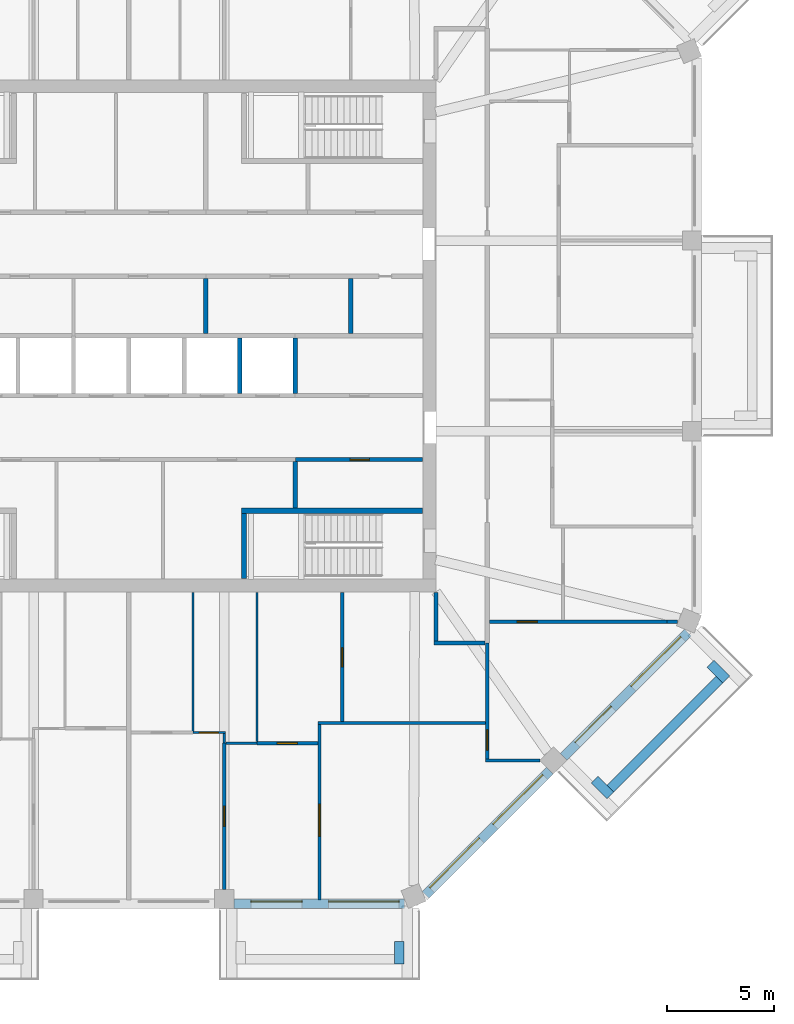
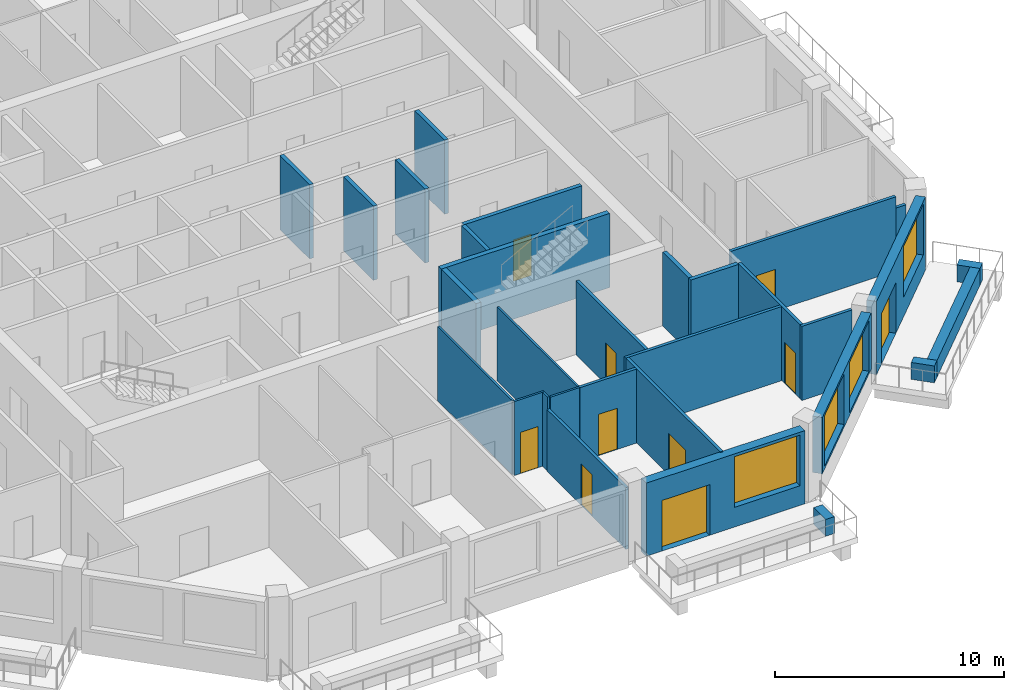
# One storey, part 5 of 12: 31 walls, 10 doors, 4 windows, 14 openings.
"""IFC4 building model written with IfcOpenShell, lengths in metres."""

from ifc_helpers import new_model, si_unit, direction, frame, frame_2d, origin, place, context, subcontext, project, spatial, rectangle, extrude, material, layer, layer_set, type_object, element, fill, save


model = new_model("IFC4")

# Units and contexts
model_context = context("Model", 3, precision=1e-05, world=origin(), true_north=direction((0.0, 1.0)))
body_context = subcontext(model_context, "Body", "Model", "MODEL_VIEW")
ifc_project = project(units=[si_unit("LENGTHUNIT", "METRE"), si_unit("AREAUNIT", "SQUARE_METRE"), si_unit("VOLUMEUNIT", "CUBIC_METRE"), si_unit("PLANEANGLEUNIT", "RADIAN"), si_unit("MASSUNIT", "GRAM", prefix="KILO")], contexts=[model_context])

# Site, building, storey
site_placement = place(None, origin())
site = spatial("IfcSite", under=ifc_project, at=site_placement, CompositionType="ELEMENT")
building_placement = place(site_placement, origin())
building = spatial("IfcBuilding", under=site, at=building_placement, Name="Msitu Wima Residences", CompositionType="ELEMENT")
storey_placement = place(building_placement, frame((0.0, 0.0, 247.5)))
storey = spatial("IfcBuildingStorey", under=building, at=storey_placement, Name="L57", CompositionType="ELEMENT", Elevation=247.5)

# Walls
ifc_material_1 = material(Name="Facing brick")
ifc_layer_1 = layer(ifc_material_1, 0.06494140625, Name="Facing brick")
ifc_material_2 = material(Name="Concrete C40/50", Category="concrete")
ifc_layer_2 = layer(ifc_material_2, 0.156005859375, Name="Concrete C40/50")
ifc_material_3 = material(Name="Waterproofing membrane")
ifc_layer_3 = layer(ifc_material_3, 0.00390625, Name="Waterproofing membrane")
ifc_material_4 = material(Name="Planting soil and planting")
ifc_layer_4 = layer(ifc_material_4, 0.22509765625, Name="Planting soil and planting")
ifc_layer_set_1 = layer_set([ifc_layer_1, ifc_layer_2, ifc_layer_3, ifc_layer_4], Name="Concrete C40/50")
wall_type_1 = type_object("IfcWallType", Name="Balcony planter PLANTER PL450", PredefinedType="USERDEFINED", material=ifc_layer_set_1)
wall_1_placement = place(storey_placement, frame((12.680908203125, -28.39990234375, 0.0), z_axis=(0.0, 0.0, 1.0), x_axis=(0.0, -1.0, 0.0)))
element("IfcWall", 1, at=wall_1_placement, inside=storey, type_object=wall_type_1, Name="Balcony planter S2 L57", ObjectType="PLANTER", PredefinedType="USERDEFINED", context=body_context, shape_type="SweptSolid", body=[
    extrude(rectangle(XDim=1.050048828125, YDim=0.449951171875, at=frame_2d((0.52490234375, 0.0))), origin(), (0.0, 0.0, 1.0), 0.89990234375),
])
wall_2_placement = place(storey_placement, frame((22.572265625, -21.228759765625, 0.0), z_axis=(0.0, 0.0, 1.0), x_axis=(0.707106781187, 0.707106781187, 0.0)))
element("IfcWall", 2, at=wall_2_placement, inside=storey, type_object=wall_type_1, Name="Balcony planter SE1 L57", ObjectType="PLANTER", PredefinedType="USERDEFINED", context=body_context, shape_type="SweptSolid", body=[
    extrude(rectangle(XDim=7.23828125, YDim=0.449951171875, at=frame_2d((3.619140625, 0.0))), origin(), (0.0, 0.0, 1.0), 0.89990234375),
])
for number, where, z_axis, x_axis, name in (
    (3, (21.829833984375, -20.804443359375, 0.0), (0.0, 0.0, 1.0), (0.707106781187, -0.707106781187, 0.0), "Balcony planter SE1 L57"),
    (4, (27.26611328125, -15.3681640625, 0.0), (0.0, 0.0, 1.0), (0.707223014731, -0.706990528533, 0.0), "Balcony planter SE1 L57"),
):
    element("IfcWall", number, at=place(storey_placement, frame(where, z_axis=z_axis, x_axis=x_axis)), inside=storey, type_object=wall_type_1, Name=name, ObjectType="PLANTER", PredefinedType="USERDEFINED", context=body_context, shape_type="SweptSolid", body=[
        extrude(rectangle(XDim=1.050048828125, YDim=0.449951171875, at=frame_2d((0.52490234375, 0.0))), origin(), (0.0, 0.0, 1.0), 0.89990234375),
    ])

# Wall, openings, door, window
ifc_material_5 = material(Name="Brick (red buff mix)", Category="masonry")
ifc_layer_5 = layer(ifc_material_5, 0.449951171875)
ifc_layer_set_2 = layer_set([ifc_layer_5], Name="Brick (red buff mix)")
wall_type_2 = type_object("IfcWallType", Name="Brick infill wall BW450", PredefinedType="SOLIDWALL", material=ifc_layer_set_2)
wall_3_placement = place(storey_placement, frame((4.918701171875, -26.625, 0.0), z_axis=(0.0, 0.0, 1.0), x_axis=(1.0, 0.0, 0.0)))
wall_3 = element("IfcWall", 5, at=wall_3_placement, inside=storey, type_object=wall_type_2, Name="Brick infill wall L57 S2", PredefinedType="SOLIDWALL", context=body_context, shape_type="SweptSolid", body=[
    extrude(rectangle(XDim=8.0, YDim=0.449951171875, at=frame_2d((4.0, 0.0))), origin(), (0.0, 0.0, 1.0), 3.89990234375),
])
opening_1_placement = place(wall_3_placement, frame((0.800048828125, 0.0, 0.0)))
opening_1 = element("IfcOpeningElement", 6, at=opening_1_placement, cuts=wall_3, Name="Opening D57-59.007", PredefinedType="OPENING", context=body_context, shape_type="SweptSolid", body=[
    extrude(rectangle(XDim=2.39990234375, YDim=2.699951171875, at=frame_2d((1.199951171875, 1.35009765625))), frame((0.0, 0.23486328125, 0.0), z_axis=(0.0, -1.0, 0.0), x_axis=(1.0, 0.0, 0.0)), (0.0, 0.0, 1.0), 0.469970703125),
])
opening_2_placement = place(wall_3_placement, frame((4.4501953125, 0.0, 1.050048828125)))
opening_2 = element("IfcOpeningElement", 7, at=opening_2_placement, cuts=wall_3, Name="Opening W57-59.019", PredefinedType="OPENING", context=body_context, shape_type="SweptSolid", body=[
    extrude(rectangle(XDim=3.300048828125, YDim=2.699951171875, at=frame_2d((1.64990234375, 1.35009765625))), frame((0.0, 0.23486328125, 0.0), z_axis=(0.0, -1.0, 0.0), x_axis=(1.0, 0.0, 0.0)), (0.0, 0.0, 1.0), 0.469970703125),
])
ifc_material_6 = material(Name="Anodised aluminium, bronze finish, clear low-emissivity double glazing", Category="aluminium")
door_type_1 = type_object("IfcDoorType", Name="Balcony door D2400x2700", OperationType="SLIDING_TO_LEFT", PredefinedType="DOOR", material=ifc_material_6)
door_1_placement = place(opening_1_placement, origin())
door_1 = element("IfcDoor", 8, at=door_1_placement, inside=storey, type_object=door_type_1, Name="Balcony door L57 S2", OperationType="SINGLE_SWING_LEFT", OverallHeight=2.699951171875, OverallWidth=2.39990234375, PredefinedType="DOOR", context=body_context, shape_type="SweptSolid", body=[
    extrude(rectangle(XDim=2.39990234375, YDim=2.699951171875, at=frame_2d((1.199951171875, 1.35009765625))), frame((0.0, 0.1298828125, 0.0), z_axis=(0.0, -1.0, 0.0), x_axis=(1.0, 0.0, 0.0)), (0.0, 0.0, 1.0), 0.050048828125),
])
fill(opening_1, door_1)
window_type = type_object("IfcWindowType", Name="Window W3300x2700", PartitioningType="DOUBLE_PANEL_VERTICAL", PredefinedType="WINDOW", material=ifc_material_6)
window_1_placement = place(opening_2_placement, origin())
window_1 = element("IfcWindow", 9, at=window_1_placement, inside=storey, type_object=window_type, Name="Window L57 S2.2", OverallHeight=2.699951171875, OverallWidth=3.300048828125, PartitioningType="SINGLE_PANEL", PredefinedType="WINDOW", context=body_context, shape_type="SweptSolid", body=[
    extrude(rectangle(XDim=3.300048828125, YDim=2.699951171875, at=frame_2d((1.64990234375, 1.35009765625))), frame((0.0, 0.135009765625, 0.0), z_axis=(0.0, -1.0, 0.0), x_axis=(1.0, 0.0, 0.0)), (0.0, 0.0, 1.0), 0.06005859375),
])
fill(opening_2, window_1)

# Wall, openings, windows
wall_4_placement = place(storey_placement, frame((13.909423828125, -26.214599609375, 0.89990234375), z_axis=(0.0, 0.0, 1.0), x_axis=(0.707106781187, 0.707106781187, 0.0)))
wall_4 = element("IfcWall", 10, at=wall_4_placement, inside=storey, type_object=wall_type_2, Name="Brick infill wall L57 SE0", PredefinedType="SOLIDWALL", context=body_context, shape_type="SweptSolid", body=[
    extrude(rectangle(XDim=8.251220703125, YDim=0.449951171875, at=frame_2d((4.12548828125, 0.0))), origin(), (0.0, 0.0, 1.0), 3.0),
])
opening_3_placement = place(wall_4_placement, frame((0.37548828125, 0.0, 0.14990234375)))
opening_3 = element("IfcOpeningElement", 11, at=opening_3_placement, cuts=wall_4, Name="Opening W57-59.020", PredefinedType="OPENING", context=body_context, shape_type="SweptSolid", body=[
    extrude(rectangle(XDim=3.300048828125, YDim=2.699951171875, at=frame_2d((1.64990234375, 1.35009765625))), frame((0.0, 0.23486328125, 0.0), z_axis=(0.0, -1.0, 0.0), x_axis=(1.0, 0.0, 0.0)), (0.0, 0.0, 1.0), 0.469970703125),
])
opening_4_placement = place(wall_4_placement, frame((4.57568359375, 0.0, 0.14990234375)))
opening_4 = element("IfcOpeningElement", 12, at=opening_4_placement, cuts=wall_4, Name="Opening W57-59.021", PredefinedType="OPENING", context=body_context, shape_type="SweptSolid", body=[
    extrude(rectangle(XDim=3.300048828125, YDim=2.699951171875, at=frame_2d((1.64990234375, 1.35009765625))), frame((0.0, 0.23486328125, 0.0), z_axis=(0.0, -1.0, 0.0), x_axis=(1.0, 0.0, 0.0)), (0.0, 0.0, 1.0), 0.469970703125),
])
window_2_placement = place(opening_3_placement, origin())
window_2 = element("IfcWindow", 13, at=window_2_placement, inside=storey, type_object=window_type, Name="Window L57 SE0.1", OverallHeight=2.699951171875, OverallWidth=3.300048828125, PartitioningType="SINGLE_PANEL", PredefinedType="WINDOW", context=body_context, shape_type="SweptSolid", body=[
    extrude(rectangle(XDim=3.300048828125, YDim=2.699951171875, at=frame_2d((1.64990234375, 1.35009765625))), frame((0.0, 0.135009765625, 0.0), z_axis=(0.0, -1.0, 0.0), x_axis=(1.0, 0.0, 0.0)), (0.0, 0.0, 1.0), 0.06005859375),
])
fill(opening_3, window_2)
window_3_placement = place(opening_4_placement, origin())
window_3 = element("IfcWindow", 14, at=window_3_placement, inside=storey, type_object=window_type, Name="Window L57 SE0.2", OverallHeight=2.699951171875, OverallWidth=3.300048828125, PartitioningType="SINGLE_PANEL", PredefinedType="WINDOW", context=body_context, shape_type="SweptSolid", body=[
    extrude(rectangle(XDim=3.300048828125, YDim=2.699951171875, at=frame_2d((1.64990234375, 1.35009765625))), frame((0.0, 0.135009765625, 0.0), z_axis=(0.0, -1.0, 0.0), x_axis=(1.0, 0.0, 0.0)), (0.0, 0.0, 1.0), 0.06005859375),
])
fill(opening_4, window_3)

# Wall, openings, door, window
wall_5_placement = place(storey_placement, frame((20.380126953125, -19.743896484375, 0.0), z_axis=(0.0, 0.0, 1.0), x_axis=(0.707106781187, 0.707106781187, 0.0)))
wall_5 = element("IfcWall", 15, at=wall_5_placement, inside=storey, type_object=wall_type_2, Name="Brick infill wall L57 SE1", PredefinedType="SOLIDWALL", context=body_context, shape_type="SweptSolid", body=[
    extrude(rectangle(XDim=8.251220703125, YDim=0.449951171875, at=frame_2d((4.12548828125, 0.0))), origin(), (0.0, 0.0, 1.0), 3.89990234375),
])
opening_5_placement = place(wall_5_placement, frame((0.86279296875, 0.0, 0.0)))
opening_5 = element("IfcOpeningElement", 16, at=opening_5_placement, cuts=wall_5, Name="Opening D57-59.008", PredefinedType="OPENING", context=body_context, shape_type="SweptSolid", body=[
    extrude(rectangle(XDim=2.39990234375, YDim=2.699951171875, at=frame_2d((1.199951171875, 1.35009765625))), frame((0.0, 0.23486328125, 0.0), z_axis=(0.0, -1.0, 0.0), x_axis=(1.0, 0.0, 0.0)), (0.0, 0.0, 1.0), 0.469970703125),
])
opening_6_placement = place(wall_5_placement, frame((4.57568359375, 0.0, 1.050048828125)))
opening_6 = element("IfcOpeningElement", 17, at=opening_6_placement, cuts=wall_5, Name="Opening W57-59.022", PredefinedType="OPENING", context=body_context, shape_type="SweptSolid", body=[
    extrude(rectangle(XDim=3.300048828125, YDim=2.699951171875, at=frame_2d((1.64990234375, 1.35009765625))), frame((0.0, 0.23486328125, 0.0), z_axis=(0.0, -1.0, 0.0), x_axis=(1.0, 0.0, 0.0)), (0.0, 0.0, 1.0), 0.469970703125),
])
door_2_placement = place(opening_5_placement, origin())
door_2 = element("IfcDoor", 18, at=door_2_placement, inside=storey, type_object=door_type_1, Name="Balcony door L57 SE1", OperationType="SINGLE_SWING_LEFT", OverallHeight=2.699951171875, OverallWidth=2.39990234375, PredefinedType="DOOR", context=body_context, shape_type="SweptSolid", body=[
    extrude(rectangle(XDim=2.39990234375, YDim=2.699951171875, at=frame_2d((1.199951171875, 1.35009765625))), frame((0.0, 0.1298828125, 0.0), z_axis=(0.0, -1.0, 0.0), x_axis=(1.0, 0.0, 0.0)), (0.0, 0.0, 1.0), 0.050048828125),
])
fill(opening_5, door_2)
window_4_placement = place(opening_6_placement, origin())
window_4 = element("IfcWindow", 19, at=window_4_placement, inside=storey, type_object=window_type, Name="Window L57 SE1.2", OverallHeight=2.699951171875, OverallWidth=3.300048828125, PartitioningType="SINGLE_PANEL", PredefinedType="WINDOW", context=body_context, shape_type="SweptSolid", body=[
    extrude(rectangle(XDim=3.300048828125, YDim=2.699951171875, at=frame_2d((1.64990234375, 1.35009765625))), frame((0.0, 0.135009765625, 0.0), z_axis=(0.0, -1.0, 0.0), x_axis=(1.0, 0.0, 0.0)), (0.0, 0.0, 1.0), 0.06005859375),
])
fill(opening_6, window_4)

# Walls
ifc_material_7 = material(Name="Plaster")
ifc_layer_6 = layer(ifc_material_7, 0.011962890625, Name="Plaster")
ifc_material_8 = material(Name="Concrete blockwork", Category="masonry")
ifc_layer_7 = layer(ifc_material_8, 0.176025390625, Name="Concrete blockwork")
ifc_layer_8 = layer(ifc_material_7, 0.011962890625, Name="Plaster")
ifc_layer_set_3 = layer_set([ifc_layer_6, ifc_layer_7, ifc_layer_8], Name="Concrete blockwork")
wall_type_3 = type_object("IfcWallType", Name="Corridor wall FW200", PredefinedType="PARTITIONING", material=ifc_layer_set_3)
wall_6_placement = place(storey_placement, frame((14.39990234375, -14.300048828125, 0.0), z_axis=(0.0, 0.0, 1.0), x_axis=(0.0, 1.0, 0.0)))
element("IfcWall", 20, at=wall_6_placement, inside=storey, type_object=wall_type_3, Name="Corridor wall", PredefinedType="PARTITIONING", context=body_context, shape_type="SweptSolid", body=[
    extrude(rectangle(XDim=2.27001953125, YDim=0.199951171875, at=frame_2d((1.135009765625, 0.0))), origin(), (0.0, 0.0, 1.0), 3.949951171875),
])
wall_7_placement = place(storey_placement, frame((14.300048828125, -14.39990234375, 0.0), z_axis=(0.0, 0.0, 1.0), x_axis=(1.0, 0.0, 0.0)))
element("IfcWall", 21, at=wall_7_placement, inside=storey, type_object=wall_type_3, Name="Corridor wall", PredefinedType="PARTITIONING", context=body_context, shape_type="SweptSolid", body=[
    extrude(rectangle(XDim=2.39990234375, YDim=0.199951171875, at=frame_2d((1.199951171875, 0.0))), origin(), (0.0, 0.0, 1.0), 3.949951171875),
])

# Wall, opening, door
ifc_layer_9 = layer(ifc_material_7, 0.011962890625, Name="Plaster")
ifc_layer_10 = layer(ifc_material_8, 0.1259765625, Name="Concrete blockwork")
ifc_layer_11 = layer(ifc_material_7, 0.011962890625, Name="Plaster")
ifc_layer_set_4 = layer_set([ifc_layer_9, ifc_layer_10, ifc_layer_11], Name="Concrete blockwork")
wall_type_4 = type_object("IfcWallType", Name="Partition PW150", PredefinedType="PARTITIONING", material=ifc_layer_set_4)
wall_8_placement = place(storey_placement, frame((4.46875, -25.949951171875, 0.0), z_axis=(0.0, 0.0, 1.0), x_axis=(0.0, 1.0, 0.0)))
wall_8 = element("IfcWall", 22, at=wall_8_placement, inside=storey, type_object=wall_type_4, Name="Partition", PredefinedType="PARTITIONING", context=body_context, shape_type="SweptSolid", body=[
    extrude(rectangle(XDim=6.869873046875, YDim=0.14990234375, at=frame_2d((3.43505859375, 0.0))), origin(), (0.0, 0.0, 1.0), 3.300048828125),
])
opening_7_placement = place(wall_8_placement, frame((2.949951171875, 0.0, 0.0)))
opening_7 = element("IfcOpeningElement", 23, at=opening_7_placement, cuts=wall_8, Name="Opening D57-59.052", PredefinedType="OPENING", context=body_context, shape_type="SweptSolid", body=[
    extrude(rectangle(XDim=0.949951171875, YDim=2.199951171875, at=frame_2d((0.47509765625, 1.10009765625))), frame((0.0, 0.0849609375, 0.0), z_axis=(0.0, -1.0, 0.0), x_axis=(1.0, 0.0, 0.0)), (0.0, 0.0, 1.0), 0.169921875),
])
ifc_material_9 = material(Name="Timber flush door", Category="wood")
door_type_2 = type_object("IfcDoorType", Name="Room door D12 950x2200", OperationType="SINGLE_SWING_LEFT", PredefinedType="DOOR", material=ifc_material_9)
door_3_placement = place(opening_7_placement, origin())
door_3 = element("IfcDoor", 24, at=door_3_placement, inside=storey, type_object=door_type_2, Name="Room door", OperationType="SINGLE_SWING_LEFT", OverallHeight=2.199951171875, OverallWidth=0.949951171875, PredefinedType="DOOR", context=body_context, shape_type="SweptSolid", body=[
    extrude(rectangle(XDim=0.949951171875, YDim=2.199951171875, at=frame_2d((0.47509765625, 1.10009765625))), frame((0.0, 0.02490234375, 0.0), z_axis=(0.0, -1.0, 0.0), x_axis=(1.0, 0.0, 0.0)), (0.0, 0.0, 1.0), 0.050048828125),
])
fill(opening_7, door_3)

wall_9_placement = place(storey_placement, frame((6.0, -19.10009765625, 0.0), z_axis=(0.0, 0.0, 1.0), x_axis=(1.0, 0.0, 0.0)))
wall_9 = element("IfcWall", 25, at=wall_9_placement, inside=storey, type_object=wall_type_4, Name="Partition", PredefinedType="PARTITIONING", context=body_context, shape_type="SweptSolid", body=[
    extrude(rectangle(XDim=2.8623046875, YDim=0.14990234375, at=frame_2d((1.43115234375, 0.0))), origin(), (0.0, 0.0, 1.0), 3.949951171875),
])
opening_8_placement = place(wall_9_placement, frame((0.949951171875, 0.0, 0.0)))
opening_8 = element("IfcOpeningElement", 26, at=opening_8_placement, cuts=wall_9, Name="Opening D57-59.061", PredefinedType="OPENING", context=body_context, shape_type="SweptSolid", body=[
    extrude(rectangle(XDim=0.949951171875, YDim=2.199951171875, at=frame_2d((0.47509765625, 1.10009765625))), frame((0.0, 0.0849609375, 0.0), z_axis=(0.0, -1.0, 0.0), x_axis=(1.0, 0.0, 0.0)), (0.0, 0.0, 1.0), 0.169921875),
])
door_4_placement = place(opening_8_placement, origin())
door_4 = element("IfcDoor", 27, at=door_4_placement, inside=storey, type_object=door_type_2, Name="Room door", OperationType="SINGLE_SWING_LEFT", OverallHeight=2.199951171875, OverallWidth=0.949951171875, PredefinedType="DOOR", context=body_context, shape_type="SweptSolid", body=[
    extrude(rectangle(XDim=0.949951171875, YDim=2.199951171875, at=frame_2d((0.47509765625, 1.10009765625))), frame((0.0, 0.02490234375, 0.0), z_axis=(0.0, -1.0, 0.0), x_axis=(1.0, 0.0, 0.0)), (0.0, 0.0, 1.0), 0.050048828125),
])
fill(opening_8, door_4)

wall_10_placement = place(storey_placement, frame((8.937255859375, -26.455078125, 0.0), z_axis=(0.0, 0.0, 1.0), x_axis=(0.0, 1.0, 0.0)))
wall_10 = element("IfcWall", 28, at=wall_10_placement, inside=storey, type_object=wall_type_4, Name="Partition", PredefinedType="PARTITIONING", context=body_context, shape_type="SweptSolid", body=[
    extrude(rectangle(XDim=8.22998046875, YDim=0.14990234375, at=frame_2d((4.114990234375, 0.0))), origin(), (0.0, 0.0, 1.0), 3.949951171875),
])
opening_9_placement = place(wall_10_placement, frame((3.0, 0.0, 0.0)))
opening_9 = element("IfcOpeningElement", 29, at=opening_9_placement, cuts=wall_10, Name="Opening D57-59.060", PredefinedType="OPENING", context=body_context, shape_type="SweptSolid", body=[
    extrude(rectangle(XDim=1.5, YDim=2.199951171875, at=frame_2d((0.75, 1.10009765625))), frame((0.0, 0.0849609375, 0.0), z_axis=(0.0, -1.0, 0.0), x_axis=(1.0, 0.0, 0.0)), (0.0, 0.0, 1.0), 0.169921875),
])
ifc_material_10 = material(Name="Timber double door", Category="wood")
door_type_3 = type_object("IfcDoorType", Name="Double door D04 1500x2200", OperationType="DOUBLE_DOOR_SINGLE_SWING", PredefinedType="DOOR", material=ifc_material_10)
door_5_placement = place(opening_9_placement, origin())
door_5 = element("IfcDoor", 30, at=door_5_placement, inside=storey, type_object=door_type_3, Name="Double door", OperationType="DOUBLE_DOOR_SINGLE_SWING", OverallHeight=2.199951171875, OverallWidth=1.5, PredefinedType="DOOR", context=body_context, shape_type="SweptSolid", body=[
    extrude(rectangle(XDim=1.5, YDim=2.199951171875, at=frame_2d((0.75, 1.10009765625))), frame((0.0, 0.02490234375, 0.0), z_axis=(0.0, -1.0, 0.0), x_axis=(1.0, 0.0, 0.0)), (0.0, 0.0, 1.0), 0.050048828125),
])
fill(opening_9, door_5)

# Wall
wall_11_placement = place(storey_placement, frame((8.8623046875, -18.14990234375, 0.0), z_axis=(0.0, 0.0, 1.0), x_axis=(1.0, 0.0, 0.0)))
element("IfcWall", 31, at=wall_11_placement, inside=storey, type_object=wall_type_4, Name="Partition", PredefinedType="PARTITIONING", context=body_context, shape_type="SweptSolid", body=[
    extrude(rectangle(XDim=7.86279296875, YDim=0.14990234375, at=frame_2d((3.931396484375, 0.0))), origin(), (0.0, 0.0, 1.0), 3.949951171875),
])

# Wall, opening, door
wall_12_placement = place(storey_placement, frame((10.0, -18.074951171875, 0.0), z_axis=(0.0, 0.0, 1.0), x_axis=(0.0, 1.0, 0.0)))
wall_12 = element("IfcWall", 32, at=wall_12_placement, inside=storey, type_object=wall_type_4, Name="Partition", PredefinedType="PARTITIONING", context=body_context, shape_type="SweptSolid", body=[
    extrude(rectangle(XDim=6.044921875, YDim=0.14990234375, at=frame_2d((3.0224609375, 0.0))), origin(), (0.0, 0.0, 1.0), 3.949951171875),
])
opening_10_placement = place(wall_12_placement, frame((2.550048828125, 0.0, 0.0)))
opening_10 = element("IfcOpeningElement", 33, at=opening_10_placement, cuts=wall_12, Name="Opening D57-59.062", PredefinedType="OPENING", context=body_context, shape_type="SweptSolid", body=[
    extrude(rectangle(XDim=0.89990234375, YDim=2.199951171875, at=frame_2d((0.449951171875, 1.10009765625))), frame((0.0, 0.0849609375, 0.0), z_axis=(0.0, -1.0, 0.0), x_axis=(1.0, 0.0, 0.0)), (0.0, 0.0, 1.0), 0.169921875),
])
door_type_4 = type_object("IfcDoorType", Name="Service door D05 900x2200", OperationType="SINGLE_SWING_LEFT", PredefinedType="DOOR", material=ifc_material_9)
door_6_placement = place(opening_10_placement, origin())
door_6 = element("IfcDoor", 34, at=door_6_placement, inside=storey, type_object=door_type_4, Name="Service door", OperationType="SINGLE_SWING_RIGHT", OverallHeight=2.199951171875, OverallWidth=0.89990234375, PredefinedType="DOOR", context=body_context, shape_type="SweptSolid", body=[
    extrude(rectangle(XDim=0.89990234375, YDim=2.199951171875, at=frame_2d((0.449951171875, 1.10009765625))), frame((0.0, 0.02490234375, 0.0), z_axis=(0.0, -1.0, 0.0), x_axis=(1.0, 0.0, 0.0)), (0.0, 0.0, 1.0), 0.050048828125),
])
fill(opening_10, door_6)

wall_13_placement = place(storey_placement, frame((16.800048828125, -19.827880859375, 0.0), z_axis=(0.0, 0.0, 1.0), x_axis=(0.0, 1.0, 0.0)))
wall_13 = element("IfcWall", 35, at=wall_13_placement, inside=storey, type_object=wall_type_4, Name="Partition", PredefinedType="PARTITIONING", context=body_context, shape_type="SweptSolid", body=[
    extrude(rectangle(XDim=5.427978515625, YDim=0.14990234375, at=frame_2d((2.7138671875, 0.0))), origin(), (0.0, 0.0, 1.0), 3.949951171875),
])
opening_11_placement = place(wall_13_placement, frame((0.39990234375, 0.0, 0.0)))
opening_11 = element("IfcOpeningElement", 36, at=opening_11_placement, cuts=wall_13, Name="Opening D57-59.059", PredefinedType="OPENING", context=body_context, shape_type="SweptSolid", body=[
    extrude(rectangle(XDim=0.949951171875, YDim=2.199951171875, at=frame_2d((0.47509765625, 1.10009765625))), frame((0.0, 0.0849609375, 0.0), z_axis=(0.0, -1.0, 0.0), x_axis=(1.0, 0.0, 0.0)), (0.0, 0.0, 1.0), 0.169921875),
])
door_7_placement = place(opening_11_placement, origin())
door_7 = element("IfcDoor", 37, at=door_7_placement, inside=storey, type_object=door_type_2, Name="Room door", OperationType="SINGLE_SWING_RIGHT", OverallHeight=2.199951171875, OverallWidth=0.949951171875, PredefinedType="DOOR", context=body_context, shape_type="SweptSolid", body=[
    extrude(rectangle(XDim=0.949951171875, YDim=2.199951171875, at=frame_2d((0.47509765625, 1.10009765625))), frame((0.0, 0.02490234375, 0.0), z_axis=(0.0, -1.0, 0.0), x_axis=(1.0, 0.0, 0.0)), (0.0, 0.0, 1.0), 0.050048828125),
])
fill(opening_11, door_7)

# Wall
wall_14_placement = place(storey_placement, frame((16.72509765625, -19.90283203125, 0.0), z_axis=(0.0, 0.0, 1.0), x_axis=(1.0, 0.0, 0.0)))
element("IfcWall", 38, at=wall_14_placement, inside=storey, type_object=wall_type_4, Name="Partition", PredefinedType="PARTITIONING", context=body_context, shape_type="SweptSolid", body=[
    extrude(rectangle(XDim=2.54150390625, YDim=0.14990234375, at=frame_2d((1.270751953125, 0.0))), origin(), (0.0, 0.0, 1.0), 3.949951171875),
])

# Wall, opening, door
wall_15_placement = place(storey_placement, frame((16.89990234375, -13.406005859375, 0.0), z_axis=(0.0, 0.0, 1.0), x_axis=(1.0, 0.0, 0.0)))
wall_15 = element("IfcWall", 39, at=wall_15_placement, inside=storey, type_object=wall_type_4, Name="Partition", PredefinedType="PARTITIONING", context=body_context, shape_type="SweptSolid", body=[
    extrude(rectangle(XDim=8.32421875, YDim=0.14990234375, at=frame_2d((4.162109375, 0.0))), origin(), (0.0, 0.0, 1.0), 3.949951171875),
])
opening_12_placement = place(wall_15_placement, frame((1.300048828125, 0.0, 0.0)))
opening_12 = element("IfcOpeningElement", 40, at=opening_12_placement, cuts=wall_15, Name="Opening D57-59.058", PredefinedType="OPENING", context=body_context, shape_type="SweptSolid", body=[
    extrude(rectangle(XDim=0.949951171875, YDim=2.199951171875, at=frame_2d((0.47509765625, 1.10009765625))), frame((0.0, 0.0849609375, 0.0), z_axis=(0.0, -1.0, 0.0), x_axis=(1.0, 0.0, 0.0)), (0.0, 0.0, 1.0), 0.169921875),
])
door_8_placement = place(opening_12_placement, origin())
door_8 = element("IfcDoor", 41, at=door_8_placement, inside=storey, type_object=door_type_2, Name="Room door", OperationType="SINGLE_SWING_RIGHT", OverallHeight=2.199951171875, OverallWidth=0.949951171875, PredefinedType="DOOR", context=body_context, shape_type="SweptSolid", body=[
    extrude(rectangle(XDim=0.949951171875, YDim=2.199951171875, at=frame_2d((0.47509765625, 1.10009765625))), frame((0.0, 0.02490234375, 0.0), z_axis=(0.0, -1.0, 0.0), x_axis=(1.0, 0.0, 0.0)), (0.0, 0.0, 1.0), 0.050048828125),
])
fill(opening_12, door_8)

# Walls
wall_16_placement = place(storey_placement, frame((25.22412109375, -13.406005859375, 0.0), z_axis=(0.0, 0.0, 1.0), x_axis=(1.0, 0.0, 0.0)))
element("IfcWall", 42, at=wall_16_placement, inside=storey, type_object=wall_type_4, Name="Partition", PredefinedType="PARTITIONING", context=body_context, shape_type="SweptSolid", body=[
    extrude(rectangle(XDim=0.507080078125, YDim=0.14990234375, at=frame_2d((0.25341796875, 0.0))), origin(), (0.0, 0.0, 1.0), 3.35009765625),
])
ifc_layer_12 = layer(ifc_material_7, 0.011962890625, Name="Plaster")
ifc_material_11 = material(Name="Reinforced concrete blockwork", Category="masonry")
ifc_layer_13 = layer(ifc_material_11, 0.176025390625, Name="Reinforced concrete blockwork")
ifc_layer_14 = layer(ifc_material_7, 0.011962890625, Name="Plaster")
ifc_layer_set_5 = layer_set([ifc_layer_12, ifc_layer_13, ifc_layer_14], Name="Reinforced concrete blockwork")
wall_type_5 = type_object("IfcWallType", Name="Plant and riser wall PL200", PredefinedType="PARTITIONING", material=ifc_layer_set_5)
wall_17_placement = place(storey_placement, frame((3.60009765625, 0.10009765625, 0.0), z_axis=(0.0, 0.0, 1.0), x_axis=(0.0, 1.0, 0.0)))
element("IfcWall", 43, at=wall_17_placement, inside=storey, type_object=wall_type_5, Name="Plant and riser wall", PredefinedType="PARTITIONING", context=body_context, shape_type="SweptSolid", body=[
    extrude(rectangle(XDim=2.599853515625, YDim=0.199951171875, at=frame_2d((1.2998046875, 0.0))), origin(), (0.0, 0.0, 1.0), 3.949951171875),
])

# Wall, opening, door
wall_18_placement = place(storey_placement, frame((7.820068359375, -5.800048828125, 0.0), z_axis=(0.0, 0.0, 1.0), x_axis=(1.0, 0.0, 0.0)))
wall_18 = element("IfcWall", 44, at=wall_18_placement, inside=storey, type_object=wall_type_5, Name="Plant and riser wall", PredefinedType="PARTITIONING", context=body_context, shape_type="SweptSolid", body=[
    extrude(rectangle(XDim=5.949951171875, YDim=0.199951171875, at=frame_2d((2.97509765625, 0.0))), origin(), (0.0, 0.0, 1.0), 3.949951171875),
])
opening_13_placement = place(wall_18_placement, frame((2.550048828125, 0.0, 0.0)))
opening_13 = element("IfcOpeningElement", 45, at=opening_13_placement, cuts=wall_18, Name="Opening D57-59.076", PredefinedType="OPENING", context=body_context, shape_type="SweptSolid", body=[
    extrude(rectangle(XDim=0.89990234375, YDim=2.199951171875, at=frame_2d((0.449951171875, 1.10009765625))), frame((0.0, 0.10986328125, 0.0), z_axis=(0.0, -1.0, 0.0), x_axis=(1.0, 0.0, 0.0)), (0.0, 0.0, 1.0), 0.219970703125),
])
door_9_placement = place(opening_13_placement, origin())
door_9 = element("IfcDoor", 46, at=door_9_placement, inside=storey, type_object=door_type_4, Name="Service door", OperationType="SINGLE_SWING_RIGHT", OverallHeight=2.199951171875, OverallWidth=0.89990234375, PredefinedType="DOOR", context=body_context, shape_type="SweptSolid", body=[
    extrude(rectangle(XDim=0.89990234375, YDim=2.199951171875, at=frame_2d((0.449951171875, 1.10009765625))), frame((0.0, 0.02490234375, 0.0), z_axis=(0.0, -1.0, 0.0), x_axis=(1.0, 0.0, 0.0)), (0.0, 0.0, 1.0), 0.050048828125),
])
fill(opening_13, door_9)

# Walls
wall_19_placement = place(storey_placement, frame((7.800048828125, -8.074951171875, 0.0), z_axis=(0.0, 0.0, 1.0), x_axis=(0.0, 1.0, 0.0)))
element("IfcWall", 47, at=wall_19_placement, inside=storey, type_object=wall_type_5, Name="Plant and riser wall", PredefinedType="PARTITIONING", context=body_context, shape_type="SweptSolid", body=[
    extrude(rectangle(XDim=2.175048828125, YDim=0.199951171875, at=frame_2d((1.08740234375, 0.0))), origin(), (0.0, 0.0, 1.0), 3.949951171875),
])
wall_20_placement = place(storey_placement, frame((10.39990234375, 0.10009765625, 0.0), z_axis=(0.0, 0.0, 1.0), x_axis=(0.0, 1.0, 0.0)))
element("IfcWall", 48, at=wall_20_placement, inside=storey, type_object=wall_type_5, Name="Plant and riser wall", PredefinedType="PARTITIONING", context=body_context, shape_type="SweptSolid", body=[
    extrude(rectangle(XDim=2.599853515625, YDim=0.199951171875, at=frame_2d((1.2998046875, 0.0))), origin(), (0.0, 0.0, 1.0), 3.949951171875),
])
ifc_material_12 = material(Name="Fire-rated board")
ifc_layer_15 = layer(ifc_material_12, 0.02490234375, Name="Fire-rated board")
ifc_material_13 = material(Name="Light-gauge stud framing with mineral wool")
ifc_layer_16 = layer(ifc_material_13, 0.14990234375, Name="Light-gauge stud framing with mineral wool")
ifc_layer_17 = layer(ifc_material_12, 0.02490234375, Name="Fire-rated board")
ifc_layer_set_6 = layer_set([ifc_layer_15, ifc_layer_16, ifc_layer_17], Name="Light-gauge stud framing with mineral wool")
wall_type_6 = type_object("IfcWallType", Name="Shaft wall SH200", PredefinedType="PARTITIONING", material=ifc_layer_set_6)
for number, where, z_axis, x_axis, name in (
    (49, (5.199951171875, -2.699951171875, 0.0), (0.0, 0.0, 1.0), (0.0, 1.0, 0.0), "Shaft wall"),
    (50, (7.800048828125, -2.699951171875, 0.0), (0.0, 0.0, 1.0), (0.0, 1.0, 0.0), "Shaft wall"),
):
    element("IfcWall", number, at=place(storey_placement, frame(where, z_axis=z_axis, x_axis=x_axis)), inside=storey, type_object=wall_type_6, Name=name, PredefinedType="PARTITIONING", context=body_context, shape_type="SweptSolid", body=[
        extrude(rectangle(XDim=2.599853515625, YDim=0.199951171875, at=frame_2d((1.2998046875, 0.0))), origin(), (0.0, 0.0, 1.0), 3.949951171875),
    ])
ifc_material_14 = material(Name="Concrete C50/60", Category="concrete")
ifc_layer_18 = layer(ifc_material_14, 0.25)
ifc_layer_set_7 = layer_set([ifc_layer_18], Name="Concrete C50/60")
wall_type_7 = type_object("IfcWallType", Name="Stair enclosure wall SW250", PredefinedType="SHEAR", material=ifc_layer_set_7)
wall_21_placement = place(storey_placement, frame((5.39990234375, -11.3701171875, 0.0), z_axis=(0.0, 0.0, 1.0), x_axis=(0.0, 1.0, 0.0)))
element("IfcWall", 51, at=wall_21_placement, inside=storey, type_object=wall_type_7, Name="Stair enclosure wall", PredefinedType="SHEAR", context=body_context, shape_type="SweptSolid", body=[
    extrude(rectangle(XDim=3.045166015625, YDim=0.25, at=frame_2d((1.5224609375, 0.0))), origin(), (0.0, 0.0, 1.0), 3.949951171875),
])
wall_22_placement = place(storey_placement, frame((5.27490234375, -8.199951171875, 0.0), z_axis=(0.0, 0.0, 1.0), x_axis=(1.0, 0.0, 0.0)))
element("IfcWall", 52, at=wall_22_placement, inside=storey, type_object=wall_type_7, Name="Stair enclosure wall", PredefinedType="SHEAR", context=body_context, shape_type="SweptSolid", body=[
    extrude(rectangle(XDim=8.4951171875, YDim=0.25, at=frame_2d((4.24755859375, 0.0))), origin(), (0.0, 0.0, 1.0), 3.949951171875),
])

# Wall, opening, door
ifc_material_15 = material(Name="Ceramic tiles")
ifc_layer_19 = layer(ifc_material_15, 0.008056640625, Name="Ceramic tiles")
ifc_material_16 = material(Name="Moisture-resistant board")
ifc_layer_20 = layer(ifc_material_16, 0.012451171875, Name="Moisture-resistant board")
ifc_layer_21 = layer(ifc_material_13, 0.06689453125, Name="Light-gauge stud framing with mineral wool")
ifc_layer_22 = layer(ifc_material_16, 0.012451171875, Name="Moisture-resistant board")
ifc_layer_set_8 = layer_set([ifc_layer_19, ifc_layer_20, ifc_layer_21, ifc_layer_22], Name="Light-gauge stud framing with mineral wool")
wall_type_8 = type_object("IfcWallType", Name="Wet wall PW100", PredefinedType="PARTITIONING", material=ifc_layer_set_8)
wall_23_placement = place(storey_placement, frame((3.0, -18.60009765625, 0.0), z_axis=(0.0, 0.0, 1.0), x_axis=(1.0, 0.0, 0.0)))
wall_23 = element("IfcWall", 53, at=wall_23_placement, inside=storey, type_object=wall_type_8, Name="Wet wall", PredefinedType="PARTITIONING", context=body_context, shape_type="SweptSolid", body=[
    extrude(rectangle(XDim=1.5185546875, YDim=0.10009765625, at=frame_2d((0.75927734375, 0.0))), origin(), (0.0, 0.0, 1.0), 3.949951171875),
])
opening_14_placement = place(wall_23_placement, frame((0.300048828125, 0.0, 0.0)))
opening_14 = element("IfcOpeningElement", 54, at=opening_14_placement, cuts=wall_23, Name="Opening D57-59.054", PredefinedType="OPENING", context=body_context, shape_type="SweptSolid", body=[
    extrude(rectangle(XDim=0.89990234375, YDim=2.199951171875, at=frame_2d((0.449951171875, 1.10009765625))), frame((0.0, 0.06005859375, 0.0), z_axis=(0.0, -1.0, 0.0), x_axis=(1.0, 0.0, 0.0)), (0.0, 0.0, 1.0), 0.1201171875),
])
ifc_material_17 = material(Name="Timber flush door, moisture resistant", Category="wood")
door_type_5 = type_object("IfcDoorType", Name="Bathroom door D03 900x2200", OperationType="SINGLE_SWING_LEFT", PredefinedType="DOOR", material=ifc_material_17)
door_10_placement = place(opening_14_placement, origin())
door_10 = element("IfcDoor", 55, at=door_10_placement, inside=storey, type_object=door_type_5, Name="Bathroom door", OperationType="SINGLE_SWING_LEFT", OverallHeight=2.199951171875, OverallWidth=0.89990234375, PredefinedType="DOOR", context=body_context, shape_type="SweptSolid", body=[
    extrude(rectangle(XDim=0.89990234375, YDim=2.199951171875, at=frame_2d((0.449951171875, 1.10009765625))), frame((0.0, 0.02490234375, 0.0), z_axis=(0.0, -1.0, 0.0), x_axis=(1.0, 0.0, 0.0)), (0.0, 0.0, 1.0), 0.050048828125),
])
fill(opening_14, door_10)

# Walls
wall_24_placement = place(storey_placement, frame((3.0, -18.550048828125, 0.0), z_axis=(0.0, 0.0, 1.0), x_axis=(0.0, 1.0, 0.0)))
element("IfcWall", 56, at=wall_24_placement, inside=storey, type_object=wall_type_8, Name="Wet wall", PredefinedType="PARTITIONING", context=body_context, shape_type="SweptSolid", body=[
    extrude(rectangle(XDim=6.52001953125, YDim=0.10009765625, at=frame_2d((3.260009765625, 0.0))), origin(), (0.0, 0.0, 1.0), 3.949951171875),
])
wall_25_placement = place(storey_placement, frame((4.46875, -19.080078125, 0.0), z_axis=(0.0, 0.0, 1.0), x_axis=(0.0, 1.0, 0.0)))
element("IfcWall", 57, at=wall_25_placement, inside=storey, type_object=wall_type_8, Name="Wet wall", PredefinedType="PARTITIONING", context=body_context, shape_type="SweptSolid", body=[
    extrude(rectangle(XDim=0.43017578125, YDim=0.10009765625, at=frame_2d((0.215087890625, 0.0))), origin(), (0.0, 0.0, 1.0), 3.949951171875),
])
wall_26_placement = place(storey_placement, frame((4.543701171875, -19.10009765625, 0.0), z_axis=(0.0, 0.0, 1.0), x_axis=(1.0, 0.0, 0.0)))
element("IfcWall", 58, at=wall_26_placement, inside=storey, type_object=wall_type_8, Name="Wet wall", PredefinedType="PARTITIONING", context=body_context, shape_type="SweptSolid", body=[
    extrude(rectangle(XDim=1.456298828125, YDim=0.10009765625, at=frame_2d((0.72802734375, 0.0))), origin(), (0.0, 0.0, 1.0), 3.949951171875),
])
wall_27_placement = place(storey_placement, frame((6.0, -19.02490234375, 0.0), z_axis=(0.0, 0.0, 1.0), x_axis=(0.0, 1.0, 0.0)))
element("IfcWall", 59, at=wall_27_placement, inside=storey, type_object=wall_type_8, Name="Wet wall", PredefinedType="PARTITIONING", context=body_context, shape_type="SweptSolid", body=[
    extrude(rectangle(XDim=6.994873046875, YDim=0.10009765625, at=frame_2d((3.49755859375, 0.0))), origin(), (0.0, 0.0, 1.0), 3.949951171875),
])

save(model, "model.ifc")
